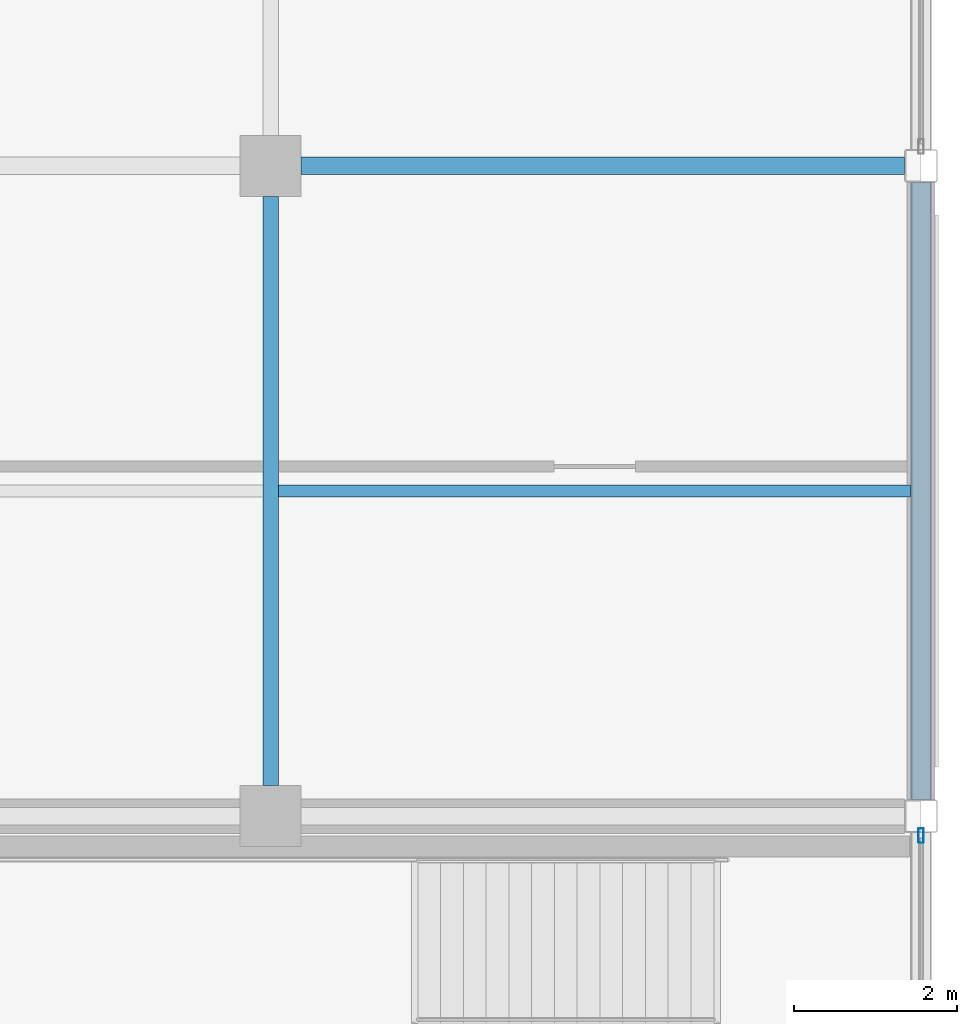
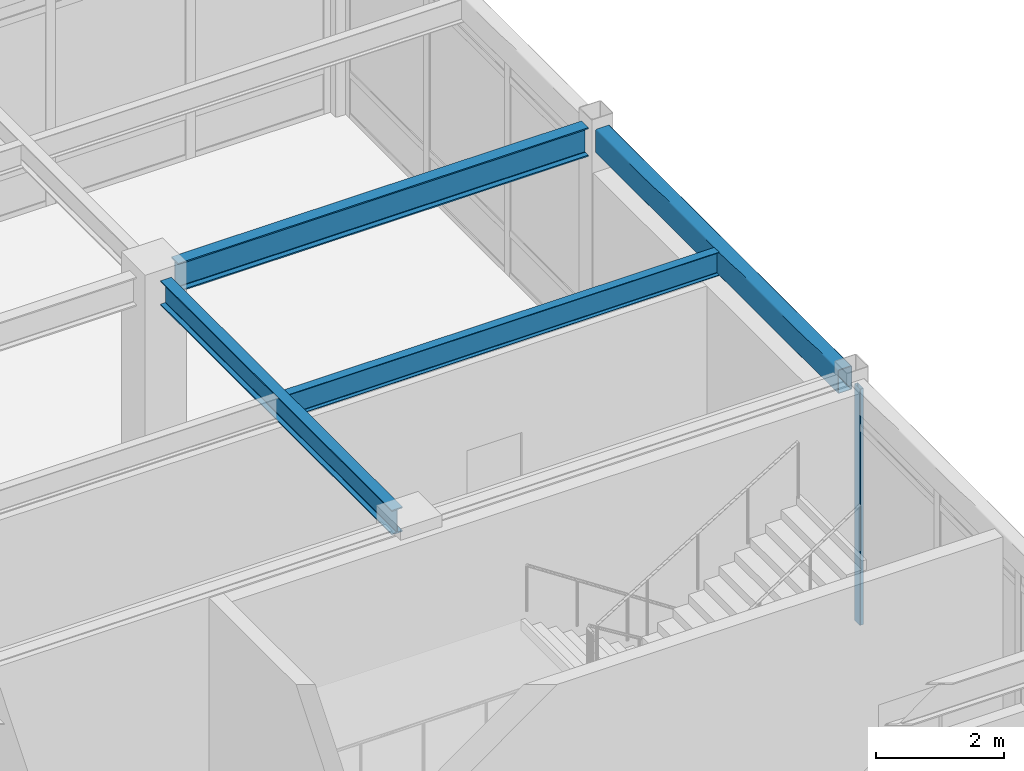
# One storey, part 81 of 117: 4 beams, 1 member, 1 element without a shape of its own.
"""IFC4 building model written with IfcOpenShell, lengths in metres."""

from ifc_helpers import new_model, si_unit, direction, frame, origin, origin_2d, place, context, subcontext, project, spatial, hollow_rectangle, i_section, extrude, material, material_profile, profile_set, type_object, element, aggregate, save


model = new_model("IFC4")

# Units and contexts
model_context = context("Model", 3, precision=1e-05, world=origin(), true_north=direction((0.0, 1.0)))
body_context = subcontext(model_context, "Body", "Model", "MODEL_VIEW")
ifc_project = project(units=[si_unit("LENGTHUNIT", "METRE"), si_unit("AREAUNIT", "SQUARE_METRE"), si_unit("VOLUMEUNIT", "CUBIC_METRE"), si_unit("PLANEANGLEUNIT", "RADIAN"), si_unit("MASSUNIT", "GRAM", prefix="KILO")], contexts=[model_context])

# Site, building, storey
site_placement = place(None, origin())
site = spatial("IfcSite", under=ifc_project, at=site_placement, CompositionType="ELEMENT")
building_placement = place(site_placement, origin())
building = spatial("IfcBuilding", under=site, at=building_placement, Name="Solmirada Galleria", CompositionType="ELEMENT")
storey_placement = place(building_placement, frame((0.0, 0.0, 5.60009765625)))
storey = spatial("IfcBuildingStorey", under=building, at=storey_placement, Name="L01", CompositionType="ELEMENT", Elevation=5.60009765625)

# Beams
ifc_material_1 = material(Name="Steel S355 / ASTM A992 Grade 50", Category="steel")
ifc_material_profile_1 = material_profile(ifc_material_1, i_section(OverallWidth=0.194091796875, OverallDepth=0.468994140625, WebThickness=0.0126953125, FlangeThickness=0.0205078125, FilletRadius=0.013916015625, at=origin_2d()), Name="W18X71")
ifc_profile_set_1 = profile_set([ifc_material_profile_1], Name="Steel S355 / ASTM A992 Grade 50")
beam_type_1 = type_object("IfcBeamType", Name="BM-GIRD-W18B", PredefinedType="BEAM", material=ifc_profile_set_1)
beam_1_placement = place(storey_placement, frame((168.0, 104.375, 4.365478515625), z_axis=(0.0, 1.0, 0.0), x_axis=(-1.0, 0.0, 0.0)))
element("IfcBeam", 1, at=beam_1_placement, inside=storey, type_object=beam_type_1, Name="Primary girder L02 Y(168, 104..112)", PredefinedType="BEAM", context=body_context, shape_type="SweptSolid", body=[
    extrude(i_section(OverallWidth=0.194091796875, OverallDepth=0.468994140625, WebThickness=0.0126953125, FlangeThickness=0.0205078125, FilletRadius=0.013916015625, at=origin_2d()), origin(), (0.0, 0.0, 1.0), 7.25),
])
ifc_material_profile_2 = material_profile(ifc_material_1, i_section(OverallWidth=0.214111328125, OverallDepth=0.549072265625, WebThickness=0.0146484375, FlangeThickness=0.023681640625, FilletRadius=0.014892578125, at=origin_2d()), Name="W21X93")
ifc_profile_set_2 = profile_set([ifc_material_profile_2], Name="Steel S355 / ASTM A992 Grade 50")
beam_type_2 = type_object("IfcBeamType", Name="BM-GIRD-W21A", PredefinedType="BEAM", material=ifc_profile_set_2)
beam_2_placement = place(storey_placement, frame((168.375, 112.0, 4.325439453125), z_axis=(1.0, 0.0, 0.0), x_axis=(0.0, 1.0, 0.0)))
element("IfcBeam", 2, at=beam_2_placement, inside=storey, type_object=beam_type_2, Name="Primary beam L02 X(168..176, 112)", PredefinedType="BEAM", context=body_context, shape_type="SweptSolid", body=[
    extrude(i_section(OverallWidth=0.214111328125, OverallDepth=0.549072265625, WebThickness=0.0146484375, FlangeThickness=0.023681640625, FilletRadius=0.014892578125, at=origin_2d()), origin(), (0.0, 0.0, 1.0), 7.422119140625),
])
ifc_material_profile_3 = material_profile(ifc_material_1, i_section(OverallWidth=0.152099609375, OverallDepth=0.449951171875, WebThickness=0.007568359375, FlangeThickness=0.0107421875, FilletRadius=0.011962890625, at=origin_2d()), Name="W18X35")
ifc_profile_set_3 = profile_set([ifc_material_profile_3], Name="Steel S355 / ASTM A992 Grade 50")
beam_type_3 = type_object("IfcBeamType", Name="BM-JST-W18B", PredefinedType="JOIST", material=ifc_profile_set_3)
beam_3_placement = place(storey_placement, frame((168.096923828125, 108.0, 4.375), z_axis=(1.0, 0.0, 0.0), x_axis=(0.0, 1.0, 0.0)))
element("IfcBeam", 3, at=beam_3_placement, inside=storey, type_object=beam_type_3, Name="Composite floor joist L02 (168..176, 108.0)", PredefinedType="JOIST", context=body_context, shape_type="SweptSolid", body=[
    extrude(i_section(OverallWidth=0.152099609375, OverallDepth=0.449951171875, WebThickness=0.007568359375, FlangeThickness=0.0107421875, FilletRadius=0.011962890625, at=origin_2d()), origin(), (0.0, 0.0, 1.0), 7.776123046875),
])
ifc_material_2 = material(Name="Steel S355 / ASTM A500 Grade C", Category="steel")
ifc_material_profile_4 = material_profile(ifc_material_2, hollow_rectangle(XDim=0.25390625, YDim=0.45703125, WallThickness=0.01171875, InnerFilletRadius=0.01171875, OuterFilletRadius=0.023681640625, at=origin_2d()), Name="HSS18X10X1/2")
ifc_profile_set_4 = profile_set([ifc_material_profile_4], Name="Steel S355 / ASTM A500 Grade C")
beam_type_4 = type_object("IfcBeamType", Name="BM-SPAND-W18", PredefinedType="SPANDREL", material=ifc_profile_set_4)
beam_4_placement = place(storey_placement, frame((176.0, 104.202880859375, 4.371337890625), z_axis=(0.0, 1.0, 0.0), x_axis=(-1.0, 0.0, 0.0)))
element("IfcBeam", 4, at=beam_4_placement, inside=storey, type_object=beam_type_4, Name="Primary girder L02 Y(176, 104..112)", PredefinedType="SPANDREL", context=body_context, shape_type="SweptSolid", body=[
    extrude(hollow_rectangle(XDim=0.25390625, YDim=0.45703125, WallThickness=0.01171875, InnerFilletRadius=0.01171875, OuterFilletRadius=0.023681640625, at=origin_2d()), origin(), (0.0, 0.0, 1.0), 7.59423828125),
])

# Curtain wall, member
ifc_material_3 = material(Name="Impact-resistant low-E double glazing", Category="glass")
curtain_wall_type = type_object("IfcCurtainWallType", Name="CW-FZ2-L01-B3-L076", PredefinedType="NOTDEFINED", material=ifc_material_3)
curtain_wall_placement = place(storey_placement, origin())
curtain_wall = element("IfcCurtainWall", 5, at=curtain_wall_placement, inside=storey, type_object=curtain_wall_type, Name="Terrace and arcade storefront CW-L01-061", PredefinedType="NOTDEFINED")
ifc_material_4 = material(Name="Anodised aluminium framing", Category="aluminium")
ifc_material_profile_5 = material_profile(ifc_material_4, hollow_rectangle(XDim=0.06494140625, YDim=0.179931640625, WallThickness=0.00390625, InnerFilletRadius=0.00390625, OuterFilletRadius=0.008056640625, at=origin_2d()), Name="ALU-MULL-180X65")
ifc_profile_set_5 = profile_set([ifc_material_profile_5], Name="Anodised aluminium framing")
member_type = type_object("IfcMemberType", Name="CW-MULL-180", PredefinedType="MULLION", material=ifc_profile_set_5)
member_placement = place(storey_placement, frame((176.0, 103.762451171875, 0.0), z_axis=(0.0, 0.0, 1.0), x_axis=(1.0, 0.0, 0.0)))
member = element("IfcMember", 6, at=member_placement, type_object=member_type, Name="CW15 mullion 1", PredefinedType="MULLION", context=body_context, shape_type="SweptSolid", body=[
    extrude(hollow_rectangle(XDim=0.06494140625, YDim=0.179931640625, WallThickness=0.00390625, InnerFilletRadius=0.00390625, OuterFilletRadius=0.008056640625, at=origin_2d()), origin(), (0.0, 0.0, 1.0), 4.52001953125),
])
aggregate(curtain_wall, [member])

save(model, "model.ifc")
